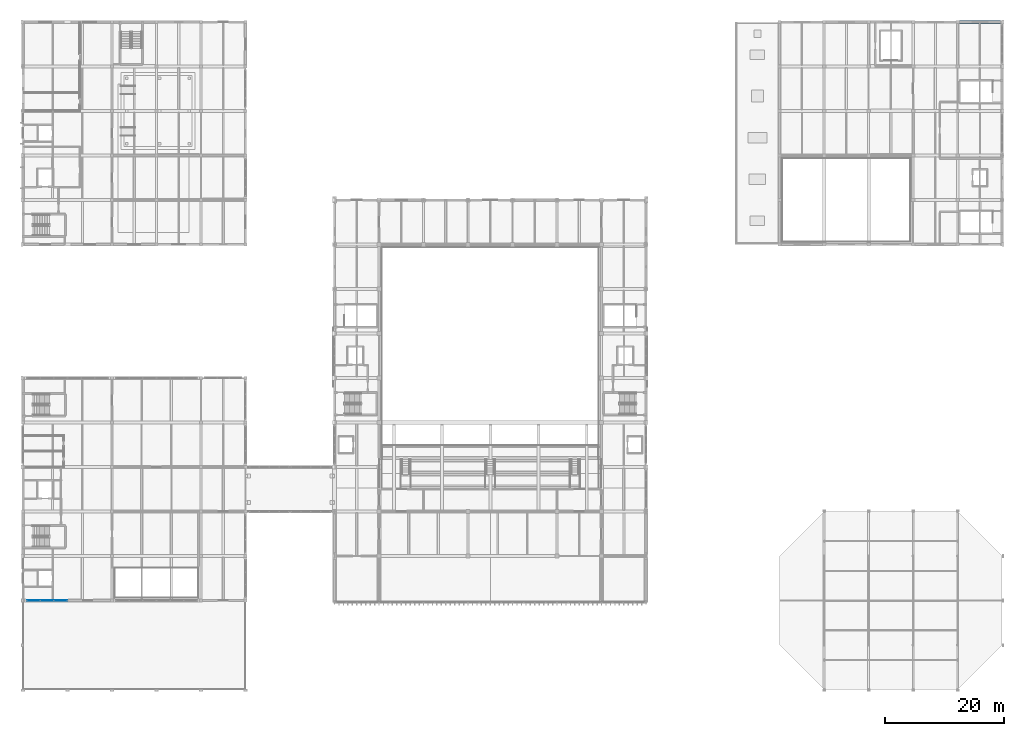
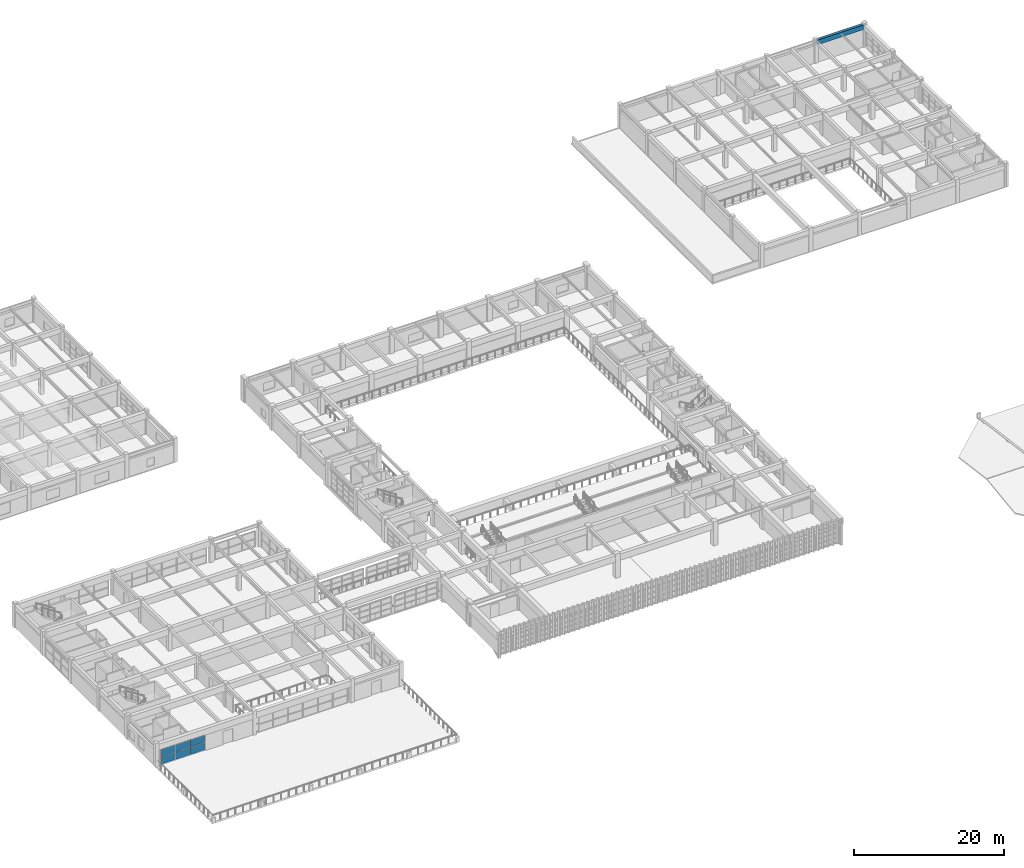
# One storey, part 61 of 101: 6 plates, 1 beam, 1 element without a shape of its own.
"""IFC4 building model written with IfcOpenShell, lengths in metres."""

from ifc_helpers import new_model, si_unit, direction, frame, origin, origin_2d, place, context, subcontext, project, spatial, rectangle, extrude, material, layer, layer_set, material_profile, profile_set, type_object, element, aggregate, save


model = new_model("IFC4")

# Units and contexts
model_context = context("Model", 3, precision=1e-05, world=origin(), true_north=direction((0.0, 1.0)))
body_context = subcontext(model_context, "Body", "Model", "MODEL_VIEW")
ifc_project = project(units=[si_unit("LENGTHUNIT", "METRE"), si_unit("AREAUNIT", "SQUARE_METRE"), si_unit("VOLUMEUNIT", "CUBIC_METRE"), si_unit("PLANEANGLEUNIT", "RADIAN"), si_unit("MASSUNIT", "GRAM", prefix="KILO")], contexts=[model_context])

# Site, building, storey
site_placement = place(None, origin())
site = spatial("IfcSite", under=ifc_project, at=site_placement, CompositionType="ELEMENT")
building_placement = place(site_placement, origin())
building = spatial("IfcBuilding", under=site, at=building_placement, Name="Qasida Concert Hall", CompositionType="ELEMENT")
storey_placement = place(building_placement, frame((0.0, 0.0, 13.199951171875)))
storey = spatial("IfcBuildingStorey", under=building, at=storey_placement, Name="L03", CompositionType="ELEMENT", Elevation=13.199951171875)

# Beam
ifc_material_1 = material(Name="Concrete C40/50", Category="concrete")
ifc_material_profile = material_profile(ifc_material_1, rectangle(XDim=0.449951171875, YDim=0.75, at=origin_2d()), Name="RC 450x750")
ifc_profile_set = profile_set([ifc_material_profile], Name="Concrete C40/50")
beam_type = type_object("IfcBeamType", Name="BM-SP4", PredefinedType="SPANDREL", material=ifc_profile_set)
beam_placement = place(storey_placement, frame((157.77490234375, 112.5, 3.2451171875), z_axis=(1.0, 0.0, 0.0), x_axis=(0.0, 1.0, 0.0)))
element("IfcBeam", 1, at=beam_placement, inside=storey, type_object=beam_type, Name="Primary girder 1685", PredefinedType="SPANDREL", context=body_context, shape_type="SweptSolid", body=[
    extrude(rectangle(XDim=0.449951171875, YDim=0.75, at=origin_2d()), origin(), (0.0, 0.0, 1.0), 6.9501953125),
])

# Curtain wall, plates
ifc_material_2 = material(Name="Architectural bronze-anodized aluminium and low-E glass", Category="aluminium")
curtain_wall_type = type_object("IfcCurtainWallType", Name="CW-09", PredefinedType="NOTDEFINED", material=ifc_material_2)
curtain_wall_placement = place(storey_placement, origin())
curtain_wall = element("IfcCurtainWall", 2, at=curtain_wall_placement, inside=storey, type_object=curtain_wall_type, Name="L03 curtain wall CW-09 0117", PredefinedType="NOTDEFINED")
ifc_material_3 = material(Name="Solar-control low-E double glazing", Category="glass")
ifc_layer = layer(ifc_material_3, 0.028076171875, Name="Solar-control low-E double glazing")
ifc_layer_set = layer_set([ifc_layer], Name="Solar-control low-E double glazing")
plate_type = type_object("IfcPlateType", Name="PLT-CWP-3", PredefinedType="CURTAIN_PANEL", material=ifc_layer_set)
plate_1_placement = place(storey_placement, frame((1.780029296875, 15.0, 0.06005859375), z_axis=(0.0, 0.0, 1.0), x_axis=(1.0, 0.0, 0.0)))
plate_1 = element("IfcPlate", 3, at=plate_1_placement, type_object=plate_type, Name="CW-09 panel 1.1", PredefinedType="CURTAIN_PANEL", context=body_context, shape_type="SweptSolid", body=[
    extrude(rectangle(XDim=2.199951171875, YDim=0.028076171875, at=origin_2d()), origin(), (0.0, 0.0, 1.0), 1.205078125),
])
plate_2_placement = place(storey_placement, frame((1.780029296875, 15.0, 1.324951171875), z_axis=(0.0, 0.0, 1.0), x_axis=(1.0, 0.0, 0.0)))
plate_2 = element("IfcPlate", 4, at=plate_2_placement, type_object=plate_type, Name="CW-09 panel 1.2", PredefinedType="CURTAIN_PANEL", context=body_context, shape_type="SweptSolid", body=[
    extrude(rectangle(XDim=2.199951171875, YDim=0.028076171875, at=origin_2d()), origin(), (0.0, 0.0, 1.0), 1.205078125),
])
plate_3_placement = place(storey_placement, frame((4.054931640625, 15.0, 0.06005859375), z_axis=(0.0, 0.0, 1.0), x_axis=(1.0, 0.0, 0.0)))
plate_3 = element("IfcPlate", 5, at=plate_3_placement, type_object=plate_type, Name="CW-09 panel 2.1", PredefinedType="CURTAIN_PANEL", context=body_context, shape_type="SweptSolid", body=[
    extrude(rectangle(XDim=2.22998046875, YDim=0.028076171875, at=origin_2d()), origin(), (0.0, 0.0, 1.0), 1.205078125),
])
plate_4_placement = place(storey_placement, frame((4.054931640625, 15.0, 1.324951171875), z_axis=(0.0, 0.0, 1.0), x_axis=(1.0, 0.0, 0.0)))
plate_4 = element("IfcPlate", 6, at=plate_4_placement, type_object=plate_type, Name="CW-09 panel 2.2", PredefinedType="CURTAIN_PANEL", context=body_context, shape_type="SweptSolid", body=[
    extrude(rectangle(XDim=2.22998046875, YDim=0.028076171875, at=origin_2d()), origin(), (0.0, 0.0, 1.0), 1.205078125),
])
plate_5_placement = place(storey_placement, frame((6.330078125, 15.0, 0.06005859375), z_axis=(0.0, 0.0, 1.0), x_axis=(1.0, 0.0, 0.0)))
plate_5 = element("IfcPlate", 7, at=plate_5_placement, type_object=plate_type, Name="CW-09 panel 3.1", PredefinedType="CURTAIN_PANEL", context=body_context, shape_type="SweptSolid", body=[
    extrude(rectangle(XDim=2.199951171875, YDim=0.028076171875, at=origin_2d()), origin(), (0.0, 0.0, 1.0), 1.205078125),
])
plate_6_placement = place(storey_placement, frame((6.330078125, 15.0, 1.324951171875), z_axis=(0.0, 0.0, 1.0), x_axis=(1.0, 0.0, 0.0)))
plate_6 = element("IfcPlate", 8, at=plate_6_placement, type_object=plate_type, Name="CW-09 panel 3.2", PredefinedType="CURTAIN_PANEL", context=body_context, shape_type="SweptSolid", body=[
    extrude(rectangle(XDim=2.199951171875, YDim=0.028076171875, at=origin_2d()), origin(), (0.0, 0.0, 1.0), 1.205078125),
])
aggregate(curtain_wall, [plate_1, plate_2, plate_3, plate_4, plate_5, plate_6])

save(model, "model.ifc")
